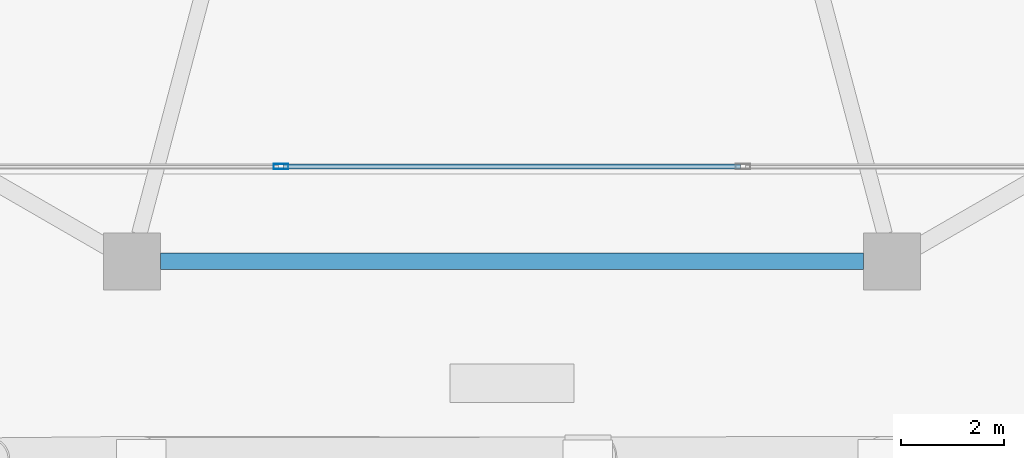
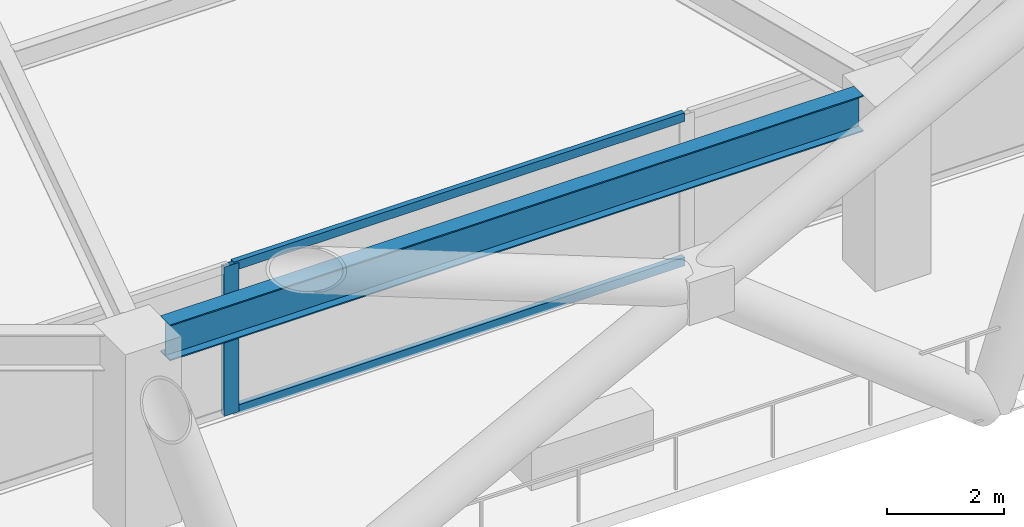
# One storey, part 4 of 28: 3 members, 1 beam, 1 element without a shape of its own.
"""IFC4 building model written with IfcOpenShell, lengths in metres."""

from ifc_helpers import new_model, si_unit, direction, frame, origin, origin_2d, place, context, subcontext, project, spatial, hollow_rectangle, i_section, extrude, material, material_profile, profile_set, type_object, element, aggregate, save


model = new_model("IFC4")

# Units and contexts
model_context = context("Model", 3, precision=1e-05, world=origin(), true_north=direction((0.0, 1.0)))
body_context = subcontext(model_context, "Body", "Model", "MODEL_VIEW")
ifc_project = project(units=[si_unit("LENGTHUNIT", "METRE"), si_unit("AREAUNIT", "SQUARE_METRE"), si_unit("VOLUMEUNIT", "CUBIC_METRE"), si_unit("PLANEANGLEUNIT", "RADIAN"), si_unit("MASSUNIT", "GRAM", prefix="KILO")], contexts=[model_context])

# Site, building, storey
site_placement = place(None, origin())
site = spatial("IfcSite", under=ifc_project, at=site_placement, CompositionType="ELEMENT")
building_placement = place(site_placement, origin())
building = spatial("IfcBuilding", under=site, at=building_placement, Name="Zuhravey Tower", CompositionType="ELEMENT")
storey_placement = place(building_placement, frame((0.0, 0.0, 83.39990234375)))
storey = spatial("IfcBuildingStorey", under=building, at=storey_placement, Name="L20", CompositionType="ELEMENT", Elevation=83.39990234375)

# Curtain wall, member
ifc_material_1 = material(Name="Thermally broken anodised aluminium", Category="aluminium")
curtain_wall_type = type_object("IfcCurtainWallType", Name="Sky-Playground Recessed Curtain Wall CW2", PredefinedType="NOTDEFINED", material=ifc_material_1)
curtain_wall_placement = place(storey_placement, origin())
curtain_wall = element("IfcCurtainWall", 1, at=curtain_wall_placement, inside=storey, type_object=curtain_wall_type, Name="L20 CW2 CW-L20-F5-1", PredefinedType="NOTDEFINED")
ifc_material_2 = material(Name="Anodised aluminium", Category="aluminium")
ifc_material_profile_1 = material_profile(ifc_material_2, hollow_rectangle(XDim=0.10009765625, YDim=0.2900390625, WallThickness=0.006103515625, at=origin_2d()), Name="ALU-RHS-100x290x6")
ifc_profile_set_1 = profile_set([ifc_material_profile_1], Name="Anodised aluminium")
member_type_1 = type_object("IfcMemberType", Name="Heavy Tall-Storey Mullion 100x220", PredefinedType="MULLION", material=ifc_profile_set_1)
member_1_placement = place(storey_placement, frame((31.51904296875, 5.8916015625, 0.0), z_axis=(0.0, 0.0, 1.0), x_axis=(0.0, -1.0, 0.0)))
member_1 = element("IfcMember", 2, at=member_1_placement, type_object=member_type_1, Name="CW2 mullion 3", PredefinedType="MULLION", context=body_context, shape_type="SweptSolid", body=[
    extrude(hollow_rectangle(XDim=0.10009765625, YDim=0.2900390625, WallThickness=0.006103515625, at=origin_2d()), origin(), (0.0, 0.0, 1.0), 3.10009765625),
])

# Beam
ifc_material_3 = material(Name="Steel SM355", Category="steel")
ifc_material_profile_2 = material_profile(ifc_material_3, i_section(OverallWidth=0.320068359375, OverallDepth=0.75, WebThickness=0.013916015625, FlangeThickness=0.02490234375, at=origin_2d()), Name="H-750x320x14x25")
ifc_profile_set_2 = profile_set([ifc_material_profile_2], Name="Steel SM355")
beam_type = type_object("IfcBeamType", Name="Perimeter Ring Beam H750x320", PredefinedType="BEAM", material=ifc_profile_set_2)
beam_placement = place(storey_placement, frame((29.18310546875, 4.051513671875, 3.47509765625), z_axis=(1.0, 0.0, 0.0), x_axis=(0.0, 1.0, 0.0)))
element("IfcBeam", 3, at=beam_placement, inside=storey, type_object=beam_type, Name="L20 PB1 BM-L20-PB-09", PredefinedType="BEAM", context=body_context, shape_type="SweptSolid", body=[
    extrude(i_section(OverallWidth=0.320068359375, OverallDepth=0.75, WebThickness=0.013916015625, FlangeThickness=0.02490234375, at=origin_2d()), origin(), (0.0, 0.0, 1.0), 13.6337890625),
])

# Member
ifc_material_profile_3 = material_profile(ifc_material_2, hollow_rectangle(XDim=0.10009765625, YDim=0.179931640625, WallThickness=0.006103515625, at=origin_2d()), Name="ALU-RHS-100x180x6")
ifc_profile_set_3 = profile_set([ifc_material_profile_3], Name="Anodised aluminium")
member_type_2 = type_object("IfcMemberType", Name="Tall-Storey Transom 100x180", PredefinedType="USERDEFINED", material=ifc_profile_set_3)
member_2_placement = place(storey_placement, frame((40.430908203125, 5.8916015625, 0.050048828125), z_axis=(-1.0, 0.0, 0.0), x_axis=(0.0, -1.0, 0.0)))
member_2 = element("IfcMember", 4, at=member_2_placement, type_object=member_type_2, Name="CW2 transom 2.1", ObjectType="TRANSOM", PredefinedType="USERDEFINED", context=body_context, shape_type="SweptSolid", body=[
    extrude(hollow_rectangle(XDim=0.10009765625, YDim=0.179931640625, WallThickness=0.006103515625, at=origin_2d()), origin(), (0.0, 0.0, 1.0), 8.86181640625),
])

member_3_placement = place(storey_placement, frame((40.430908203125, 5.8916015625, 3.050048828125), z_axis=(-1.0, 0.0, 0.0), x_axis=(0.0, -1.0, 0.0)))
member_3 = element("IfcMember", 5, at=member_3_placement, type_object=member_type_2, Name="CW2 transom 2.2", ObjectType="TRANSOM", PredefinedType="USERDEFINED", context=body_context, shape_type="SweptSolid", body=[
    extrude(hollow_rectangle(XDim=0.10009765625, YDim=0.179931640625, WallThickness=0.006103515625, at=origin_2d()), origin(), (0.0, 0.0, 1.0), 8.86181640625),
])

aggregate(curtain_wall, [member_1, member_2, member_3])

save(model, "model.ifc")
